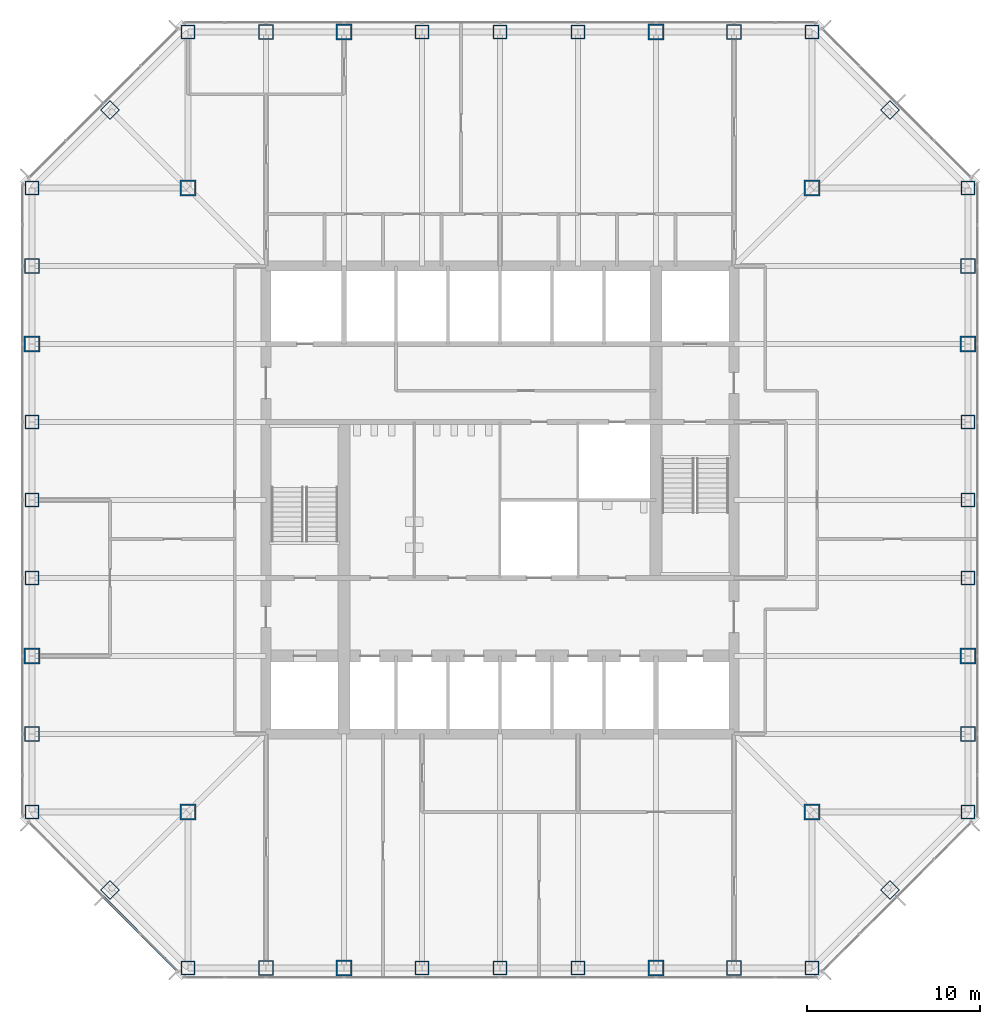
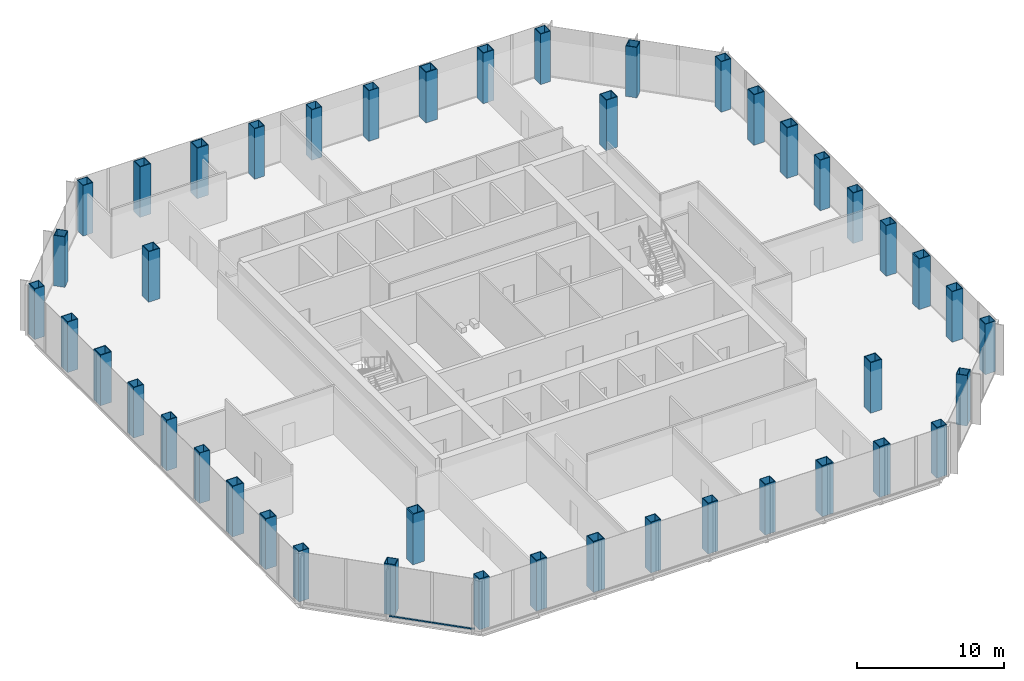
# One storey, part 1 of 13: 44 columns, 2 members, 1 element without a shape of its own.
"""IFC4 building model written with IfcOpenShell, lengths in metres."""

from ifc_helpers import new_model, si_unit, direction, frame, origin, origin_2d, place, context, subcontext, project, spatial, rectangle, hollow_rectangle, extrude, material, material_profile, profile_set, type_object, element, aggregate, save


model = new_model("IFC4")

# Units and contexts
model_context = context("Model", 3, precision=1e-05, world=origin(), true_north=direction((0.0, 1.0)))
body_context = subcontext(model_context, "Body", "Model", "MODEL_VIEW")
ifc_project = project(units=[si_unit("LENGTHUNIT", "METRE"), si_unit("AREAUNIT", "SQUARE_METRE"), si_unit("VOLUMEUNIT", "CUBIC_METRE"), si_unit("PLANEANGLEUNIT", "RADIAN"), si_unit("MASSUNIT", "GRAM", prefix="KILO")], contexts=[model_context])

# Site, building, storey
site_placement = place(None, origin())
site = spatial("IfcSite", under=ifc_project, at=site_placement, CompositionType="ELEMENT")
building_placement = place(site_placement, origin())
building = spatial("IfcBuilding", under=site, at=building_placement, Name="Corais Broadcast Tower", CompositionType="ELEMENT")
storey_placement = place(building_placement, frame((0.0, 0.0, 66.800048828125)))
storey = spatial("IfcBuildingStorey", under=building, at=storey_placement, Name="L14", CompositionType="ELEMENT", Elevation=66.800048828125)

# Columns
ifc_material_1 = material(Name="Steel ASTM A572 Grade 50", Category="steel")
ifc_material_profile_1 = material_profile(ifc_material_1, hollow_rectangle(XDim=0.800048828125, YDim=0.800048828125, WallThickness=0.044921875, at=origin_2d()), Name="BOX 800x800x45")
ifc_profile_set_1 = profile_set([ifc_material_profile_1], Name="Steel ASTM A572 Grade 50")
column_type_1 = type_object("IfcColumnType", Name="Column BOX 800x800x45", PredefinedType="COLUMN", material=ifc_profile_set_1)
for number, where, z_axis, x_axis, name in (
    (1, (9.0, 0.0, 0.0), (0.0, 0.0, 1.0), (1.0, 0.0, 0.0), "C3 A/5"),
    (2, (22.5, 0.0, 0.0), (0.0, 0.0, 1.0), (1.0, 0.0, 0.0), "C3 A/8"),
    (3, (27.0, 0.0, 0.0), (0.0, 0.0, 1.0), (1.0, 0.0, 0.0), "C3 A/9"),
    (4, (31.5, 0.0, 0.0), (0.0, 0.0, 1.0), (1.0, 0.0, 0.0), "C3 A/10"),
    (5, (45.0, 0.0, 0.0), (0.0, 0.0, 1.0), (1.0, 0.0, 0.0), "C3 A/13"),
    (6, (54.0, 9.0, 0.0), (0.0, 0.0, 1.0), (1.0, 0.0, 0.0), "C3 C/15"),
    (7, (54.0, 22.5, 0.0), (0.0, 0.0, 1.0), (1.0, 0.0, 0.0), "C3 F/15"),
    (8, (54.0, 27.0, 0.0), (0.0, 0.0, 1.0), (1.0, 0.0, 0.0), "C3 G/15"),
    (9, (54.0, 31.5, 0.0), (0.0, 0.0, 1.0), (1.0, 0.0, 0.0), "C3 H/15"),
    (10, (54.0, 45.0, 0.0), (0.0, 0.0, 1.0), (1.0, 0.0, 0.0), "C3 L/15"),
    (11, (45.0, 54.0, 0.0), (0.0, 0.0, 1.0), (1.0, 0.0, 0.0), "C3 N/13"),
    (12, (31.5, 54.0, 0.0), (0.0, 0.0, 1.0), (1.0, 0.0, 0.0), "C3 N/10"),
    (13, (27.0, 54.0, 0.0), (0.0, 0.0, 1.0), (1.0, 0.0, 0.0), "C3 N/9"),
    (14, (22.5, 54.0, 0.0), (0.0, 0.0, 1.0), (1.0, 0.0, 0.0), "C3 N/8"),
    (15, (9.0, 54.0, 0.0), (0.0, 0.0, 1.0), (1.0, 0.0, 0.0), "C3 N/5"),
    (16, (0.0, 45.0, 0.0), (0.0, 0.0, 1.0), (1.0, 0.0, 0.0), "C3 L/3"),
    (17, (0.0, 31.5, 0.0), (0.0, 0.0, 1.0), (1.0, 0.0, 0.0), "C3 H/3"),
    (18, (0.0, 27.0, 0.0), (0.0, 0.0, 1.0), (1.0, 0.0, 0.0), "C3 G/3"),
    (19, (0.0, 22.5, 0.0), (0.0, 0.0, 1.0), (1.0, 0.0, 0.0), "C3 F/3"),
    (20, (0.0, 9.0, 0.0), (0.0, 0.0, 1.0), (1.0, 0.0, 0.0), "C3 C/3"),
    (21, (4.5, 4.5, 0.0), (0.0, 0.0, 1.0), (0.707106781187, 0.707106781187, 0.0), "C3 B/4"),
    (22, (49.5, 4.5, 0.0), (0.0, 0.0, 1.0), (0.707106781187, 0.707106781187, 0.0), "C3 B/14"),
    (23, (49.5, 49.5, 0.0), (0.0, 0.0, 1.0), (0.707106781187, 0.707106781187, 0.0), "C3 M/14"),
    (24, (4.5, 49.5, 0.0), (0.0, 0.0, 1.0), (0.707106781187, 0.707106781187, 0.0), "C3 M/4"),
):
    element("IfcColumn", number, at=place(storey_placement, frame(where, z_axis=z_axis, x_axis=x_axis)), inside=storey, type_object=column_type_1, Name=name, PredefinedType="COLUMN", context=body_context, shape_type="SweptSolid", body=[
        extrude(hollow_rectangle(XDim=0.800048828125, YDim=0.800048828125, WallThickness=0.044921875, at=origin_2d()), origin(), (0.0, 0.0, 1.0), 4.199951171875),
    ])
ifc_material_2 = material(Name="Steel ASTM A572 Grade 50", Category="steel")
ifc_material_profile_2 = material_profile(ifc_material_2, hollow_rectangle(XDim=0.85009765625, YDim=0.85009765625, WallThickness=0.050048828125, at=origin_2d()), Name="BOX 850x850x50")
ifc_profile_set_2 = profile_set([ifc_material_profile_2], Name="Steel ASTM A572 Grade 50")
column_type_2 = type_object("IfcColumnType", Name="Column BOX 850x850x50", PredefinedType="COLUMN", material=ifc_profile_set_2)
for number, where, z_axis, x_axis, name in (
    (25, (13.5, 0.0, 0.0), (0.0, 0.0, 1.0), (1.0, 0.0, 0.0), "C1 A/6"),
    (26, (40.5, 0.0, 0.0), (0.0, 0.0, 1.0), (1.0, 0.0, 0.0), "C1 A/12"),
    (27, (54.0, 13.5, 0.0), (0.0, 0.0, 1.0), (1.0, 0.0, 0.0), "C1 D/15"),
    (28, (54.0, 40.5, 0.0), (0.0, 0.0, 1.0), (1.0, 0.0, 0.0), "C1 K/15"),
    (29, (40.5, 54.0, 0.0), (0.0, 0.0, 1.0), (1.0, 0.0, 0.0), "C1 N/12"),
    (30, (13.5, 54.0, 0.0), (0.0, 0.0, 1.0), (1.0, 0.0, 0.0), "C1 N/6"),
    (31, (0.0, 40.5, 0.0), (0.0, 0.0, 1.0), (1.0, 0.0, 0.0), "C1 K/3"),
    (32, (0.0, 13.5, 0.0), (0.0, 0.0, 1.0), (1.0, 0.0, 0.0), "C1 D/3"),
):
    element("IfcColumn", number, at=place(storey_placement, frame(where, z_axis=z_axis, x_axis=x_axis)), inside=storey, type_object=column_type_2, Name=name, PredefinedType="COLUMN", context=body_context, shape_type="SweptSolid", body=[
        extrude(hollow_rectangle(XDim=0.85009765625, YDim=0.85009765625, WallThickness=0.050048828125, at=origin_2d()), origin(), (0.0, 0.0, 1.0), 4.199951171875),
    ])
ifc_material_3 = material(Name="Steel ASTM A572 Grade 50", Category="steel")
ifc_material_profile_3 = material_profile(ifc_material_3, hollow_rectangle(XDim=0.89990234375, YDim=0.89990234375, WallThickness=0.06298828125, at=origin_2d()), Name="BOX 900x900x63")
ifc_profile_set_3 = profile_set([ifc_material_profile_3], Name="Steel ASTM A572 Grade 50")
column_type_3 = type_object("IfcColumnType", Name="Column BOX 900x900x63", PredefinedType="COLUMN", material=ifc_profile_set_3)
for number, where, z_axis, x_axis, name in (
    (33, (18.0, 0.0, 0.0), (0.0, 0.0, 1.0), (1.0, 0.0, 0.0), "C2 A/7"),
    (34, (36.0, 0.0, 0.0), (0.0, 0.0, 1.0), (1.0, 0.0, 0.0), "C2 A/11"),
    (35, (54.0, 18.0, 0.0), (0.0, 0.0, 1.0), (1.0, 0.0, 0.0), "C2 E/15"),
    (36, (54.0, 36.0, 0.0), (0.0, 0.0, 1.0), (1.0, 0.0, 0.0), "C2 J/15"),
    (37, (36.0, 54.0, 0.0), (0.0, 0.0, 1.0), (1.0, 0.0, 0.0), "C2 N/11"),
    (38, (18.0, 54.0, 0.0), (0.0, 0.0, 1.0), (1.0, 0.0, 0.0), "C2 N/7"),
    (39, (0.0, 36.0, 0.0), (0.0, 0.0, 1.0), (1.0, 0.0, 0.0), "C2 J/3"),
    (40, (0.0, 18.0, 0.0), (0.0, 0.0, 1.0), (1.0, 0.0, 0.0), "C2 E/3"),
    (41, (9.0, 9.0, 0.0), (0.0, 0.0, 1.0), (1.0, 0.0, 0.0), "C2 C/5"),
    (42, (45.0, 9.0, 0.0), (0.0, 0.0, 1.0), (1.0, 0.0, 0.0), "C2 C/13"),
    (43, (45.0, 45.0, 0.0), (0.0, 0.0, 1.0), (1.0, 0.0, 0.0), "C2 L/13"),
    (44, (9.0, 45.0, 0.0), (0.0, 0.0, 1.0), (1.0, 0.0, 0.0), "C2 L/5"),
):
    element("IfcColumn", number, at=place(storey_placement, frame(where, z_axis=z_axis, x_axis=x_axis)), inside=storey, type_object=column_type_3, Name=name, PredefinedType="COLUMN", context=body_context, shape_type="SweptSolid", body=[
        extrude(hollow_rectangle(XDim=0.89990234375, YDim=0.89990234375, WallThickness=0.06298828125, at=origin_2d()), origin(), (0.0, 0.0, 1.0), 4.199951171875),
    ])

# Curtain wall, members
ifc_material_4 = material(Name="Aluminium and glass", Category="aluminium")
curtain_wall_type = type_object("IfcCurtainWallType", Name="Unitised fritted curtain wall CW1", PredefinedType="NOTDEFINED", material=ifc_material_4)
curtain_wall_placement = place(storey_placement, origin())
curtain_wall = element("IfcCurtainWall", 45, at=curtain_wall_placement, inside=storey, type_object=curtain_wall_type, Name="CW1 curtain wall L14 1", PredefinedType="NOTDEFINED")
ifc_material_5 = material(Name="Aluminium 6063-T6", Category="aluminium")
ifc_material_profile_4 = material_profile(ifc_material_5, rectangle(XDim=0.139892578125, YDim=0.06494140625, at=origin_2d()), Name="Transom CW1 65x140")
ifc_profile_set_4 = profile_set([ifc_material_profile_4], Name="Aluminium 6063-T6")
member_type = type_object("IfcMemberType", Name="Transom CW1 65x140", PredefinedType="USERDEFINED", material=ifc_profile_set_4)
member_1_placement = place(storey_placement, frame((8.37255859375, -0.150390625, 0.032470703125), z_axis=(-0.707106781187, 0.707106781187, 0.0), x_axis=(-0.707106781187, -0.707106781187, 0.0)))
member_1 = element("IfcMember", 46, at=member_1_placement, type_object=member_type, Name="CW1 transom 1.1", ObjectType="TRANSOM", PredefinedType="USERDEFINED", context=body_context, shape_type="SweptSolid", body=[
    extrude(rectangle(XDim=0.139892578125, YDim=0.06494140625, at=origin_2d()), origin(), (0.0, 0.0, 1.0), 2.9482421875),
])
member_2_placement = place(storey_placement, frame((6.241943359375, 1.980224609375, 0.032470703125), z_axis=(-0.707106781187, 0.707106781187, 0.0), x_axis=(-0.707106781187, -0.707106781187, 0.0)))
member_2 = element("IfcMember", 47, at=member_2_placement, type_object=member_type, Name="CW1 transom 2.1", ObjectType="TRANSOM", PredefinedType="USERDEFINED", context=body_context, shape_type="SweptSolid", body=[
    extrude(rectangle(XDim=0.139892578125, YDim=0.06494140625, at=origin_2d()), origin(), (0.0, 0.0, 1.0), 2.98095703125),
])
aggregate(curtain_wall, [member_1, member_2])

save(model, "model.ifc")
